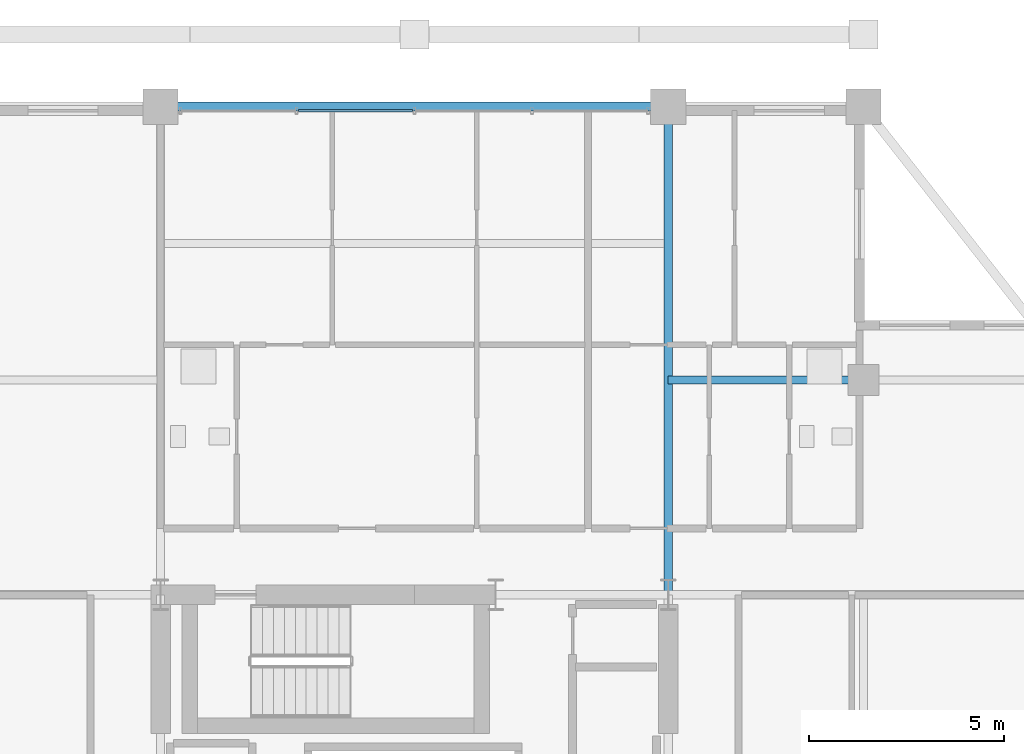
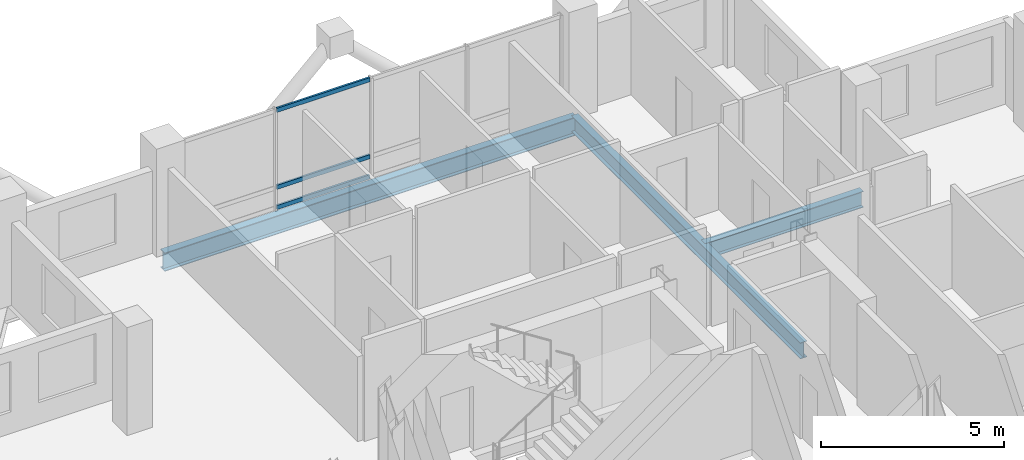
# One storey, part 15 of 23: 3 beams, 3 members, 1 element without a shape of its own.
"""IFC4 building model written with IfcOpenShell, lengths in metres."""

from ifc_helpers import new_model, si_unit, direction, frame, origin, origin_2d, place, context, subcontext, project, spatial, hollow_rectangle, i_section, extrude, material, layer, layer_set, material_profile, profile_set, type_object, element, aggregate, save


model = new_model("IFC4")

# Units and contexts
model_context = context("Model", 3, precision=1e-05, world=origin(), true_north=direction((0.0, 1.0)))
body_context = subcontext(model_context, "Body", "Model", "MODEL_VIEW")
ifc_project = project(units=[si_unit("LENGTHUNIT", "METRE"), si_unit("AREAUNIT", "SQUARE_METRE"), si_unit("VOLUMEUNIT", "CUBIC_METRE"), si_unit("PLANEANGLEUNIT", "RADIAN"), si_unit("MASSUNIT", "GRAM", prefix="KILO")], contexts=[model_context])

# Site, building, storey
site_placement = place(None, origin())
site = spatial("IfcSite", under=ifc_project, at=site_placement, CompositionType="ELEMENT")
building_placement = place(site_placement, origin())
building = spatial("IfcBuilding", under=site, at=building_placement, Name="Barlavira Tower and Art Museum", CompositionType="ELEMENT")
storey_placement = place(building_placement, frame((0.0, 0.0, 247.5)))
storey = spatial("IfcBuildingStorey", under=building, at=storey_placement, Name="L64", CompositionType="ELEMENT", Elevation=247.5)

# Curtain wall, members
ifc_material_1 = material(Name="Low-iron coastal laminated glass", Category="glass")
ifc_layer = layer(ifc_material_1, 0.2099609375, Name="Low-iron coastal laminated glass")
ifc_layer_set = layer_set([ifc_layer], Name="Low-iron coastal laminated glass")
curtain_wall_type = type_object("IfcCurtainWallType", Name="Pale-Metal Unitised Curtain Wall Zone 4", PredefinedType="NOTDEFINED", material=ifc_layer_set)
curtain_wall_placement = place(storey_placement, origin())
curtain_wall = element("IfcCurtainWall", 1, at=curtain_wall_placement, inside=storey, type_object=curtain_wall_type, Name="L64 Curtain Wall CW4-L64-N-B2", PredefinedType="NOTDEFINED")
ifc_material_2 = material(Name="Pale anodised aluminium", Category="aluminium")
ifc_material_profile_1 = material_profile(ifc_material_2, hollow_rectangle(XDim=0.06494140625, YDim=0.139892578125, WallThickness=0.00390625, at=origin_2d()), Name="ALU-TRAN 65x140x4")
ifc_profile_set_1 = profile_set([ifc_material_profile_1], Name="Pale anodised aluminium")
member_type = type_object("IfcMemberType", Name="Curtain Wall Pale-Metal Transom 65x140", PredefinedType="USERDEFINED", material=ifc_profile_set_1)
member_1_placement = place(storey_placement, frame((-0.044921875, 19.89990234375, 0.070068359375), z_axis=(-1.0, 0.0, 0.0), x_axis=(0.0, -1.0, 0.0)))
member_1 = element("IfcMember", 2, at=member_1_placement, type_object=member_type, Name="CW4-L64-N-B2 Transom 2.1", ObjectType="TRANSOM", PredefinedType="USERDEFINED", context=body_context, shape_type="SweptSolid", body=[
    extrude(hollow_rectangle(XDim=0.06494140625, YDim=0.139892578125, WallThickness=0.00390625, at=origin_2d()), origin(), (0.0, 0.0, 1.0), 2.925048828125),
])
member_2_placement = place(storey_placement, frame((-0.044921875, 19.89990234375, 0.743896484375), z_axis=(-1.0, 0.0, 0.0), x_axis=(0.0, -1.0, 0.0)))
member_2 = element("IfcMember", 3, at=member_2_placement, type_object=member_type, Name="CW4-L64-N-B2 Transom 2.2", ObjectType="TRANSOM", PredefinedType="USERDEFINED", context=body_context, shape_type="SweptSolid", body=[
    extrude(hollow_rectangle(XDim=0.06494140625, YDim=0.139892578125, WallThickness=0.00390625, at=origin_2d()), origin(), (0.0, 0.0, 1.0), 2.925048828125),
])
member_3_placement = place(storey_placement, frame((-0.044921875, 19.89990234375, 3.31005859375), z_axis=(-1.0, 0.0, 0.0), x_axis=(0.0, -1.0, 0.0)))
member_3 = element("IfcMember", 4, at=member_3_placement, type_object=member_type, Name="CW4-L64-N-B2 Transom 2.3", ObjectType="TRANSOM", PredefinedType="USERDEFINED", context=body_context, shape_type="SweptSolid", body=[
    extrude(hollow_rectangle(XDim=0.06494140625, YDim=0.139892578125, WallThickness=0.00390625, at=origin_2d()), origin(), (0.0, 0.0, 1.0), 2.925048828125),
])
aggregate(curtain_wall, [member_1, member_2, member_3])

# Beams
ifc_material_3 = material(Name="Steel S355", Category="steel")
ifc_material_profile_2 = material_profile(ifc_material_3, i_section(OverallWidth=0.22998046875, OverallDepth=0.616943359375, WebThickness=0.01318359375, FlangeThickness=0.022216796875, at=origin_2d()), Name="W610x140.0")
ifc_profile_set_2 = profile_set([ifc_material_profile_2], Name="Steel S355")
beam_type_1 = type_object("IfcBeamType", Name="Upper Shaft Spandrel Edge Beam W610x140 Steel S355", PredefinedType="SPANDREL", material=ifc_profile_set_2)
beam_1_placement = place(storey_placement, frame((-6.5, 20.0, -0.528564453125), z_axis=(1.0, 0.0, 0.0), x_axis=(0.0, 1.0, 0.0)))
element("IfcBeam", 5, at=beam_1_placement, inside=storey, type_object=beam_type_1, Name="L64 Spandrel 10", PredefinedType="SPANDREL", context=body_context, shape_type="SweptSolid", body=[
    extrude(i_section(OverallWidth=0.22998046875, OverallDepth=0.616943359375, WebThickness=0.01318359375, FlangeThickness=0.022216796875, at=origin_2d()), origin(), (0.0, 0.0, 1.0), 13.0),
])
ifc_material_profile_3 = material_profile(ifc_material_3, i_section(OverallWidth=0.2109375, OverallDepth=0.5390625, WebThickness=0.01171875, FlangeThickness=0.018798828125, at=origin_2d()), Name="W530x109.0")
ifc_profile_set_3 = profile_set([ifc_material_profile_3], Name="Steel S355")
beam_type_2 = type_object("IfcBeamType", Name="Zone 3-4 Primary Floor Girder W530x109 Steel S355", PredefinedType="BEAM", material=ifc_profile_set_3)
beam_2_placement = place(storey_placement, frame((6.5, 7.5, -0.489501953125), z_axis=(0.0, 1.0, 0.0), x_axis=(-1.0, 0.0, 0.0)))
element("IfcBeam", 6, at=beam_2_placement, inside=storey, type_object=beam_type_2, Name="L64 Girder R-N2", PredefinedType="BEAM", context=body_context, shape_type="SweptSolid", body=[
    extrude(i_section(OverallWidth=0.2109375, OverallDepth=0.5390625, WebThickness=0.01171875, FlangeThickness=0.018798828125, at=origin_2d()), origin(), (0.0, 0.0, 1.0), 12.5),
])
beam_3_placement = place(storey_placement, frame((6.5, 13.0, -0.489501953125), z_axis=(1.0, 0.0, 0.0), x_axis=(0.0, 1.0, 0.0)))
element("IfcBeam", 7, at=beam_3_placement, inside=storey, type_object=beam_type_2, Name="L64 Girder I-N3", PredefinedType="BEAM", context=body_context, shape_type="SweptSolid", body=[
    extrude(i_section(OverallWidth=0.2109375, OverallDepth=0.5390625, WebThickness=0.01171875, FlangeThickness=0.018798828125, at=origin_2d()), origin(), (0.0, 0.0, 1.0), 5.0),
])

save(model, "model.ifc")
